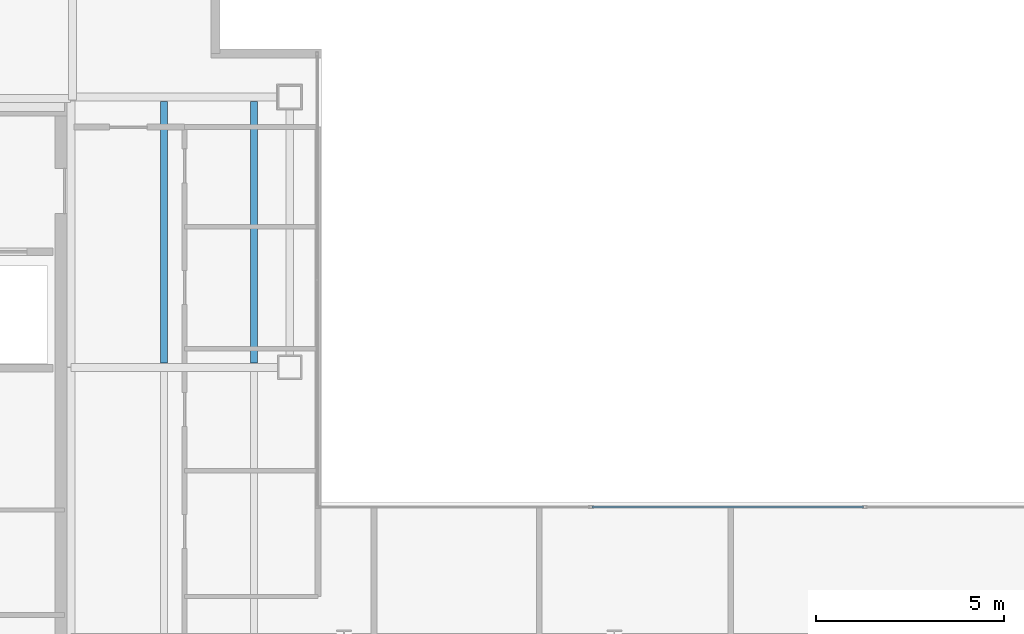
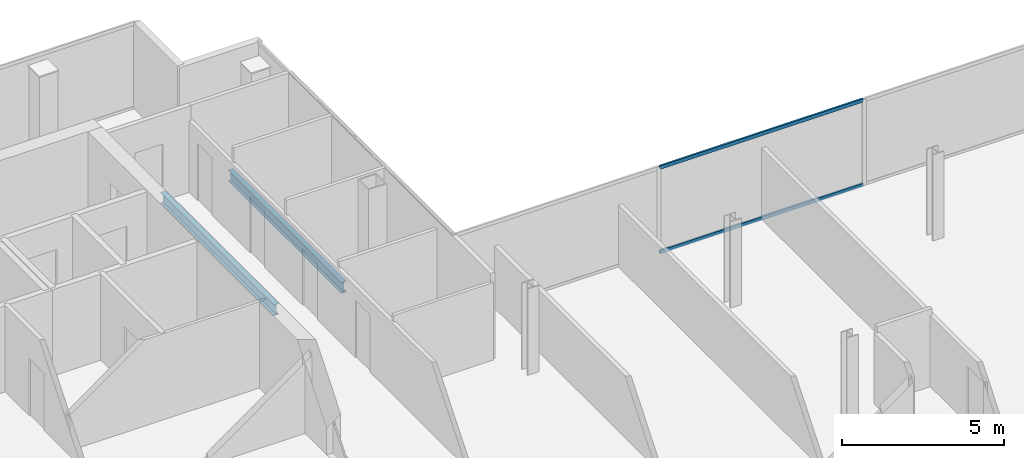
# One storey, part 10 of 24: 2 beams, 2 members, 1 element without a shape of its own.
"""IFC4 building model written with IfcOpenShell, lengths in metres."""

from ifc_helpers import new_model, si_unit, direction, frame, origin, origin_2d, place, context, subcontext, project, spatial, hollow_rectangle, i_section, extrude, material, material_profile, profile_set, type_object, element, aggregate, save


model = new_model("IFC4")

# Units and contexts
model_context = context("Model", 3, precision=1e-05, world=origin(), true_north=direction((0.0, 1.0)))
body_context = subcontext(model_context, "Body", "Model", "MODEL_VIEW")
ifc_project = project(units=[si_unit("LENGTHUNIT", "METRE"), si_unit("AREAUNIT", "SQUARE_METRE"), si_unit("VOLUMEUNIT", "CUBIC_METRE"), si_unit("PLANEANGLEUNIT", "RADIAN"), si_unit("MASSUNIT", "GRAM", prefix="KILO")], contexts=[model_context])

# Site, building, storey
site_placement = place(None, origin())
site = spatial("IfcSite", under=ifc_project, at=site_placement, CompositionType="ELEMENT")
building_placement = place(site_placement, origin())
building = spatial("IfcBuilding", under=site, at=building_placement, Name="Cobrela Telecom Tower", CompositionType="ELEMENT")
storey_placement = place(building_placement, frame((0.0, 0.0, 290.14990234375)))
storey = spatial("IfcBuildingStorey", under=building, at=storey_placement, Name="L76", CompositionType="ELEMENT", Elevation=290.14990234375)

# Beams
ifc_material_1 = material(Name="Steel ASTM A992 Grade 50", Category="steel")
ifc_material_profile_1 = material_profile(ifc_material_1, i_section(OverallWidth=0.179931640625, OverallDepth=0.4169921875, WebThickness=0.010986328125, FlangeThickness=0.01806640625, FilletRadius=0.011962890625, at=origin_2d()), Name="W16X57")
ifc_profile_set_1 = profile_set([ifc_material_profile_1], Name="Steel ASTM A992 Grade 50")
beam_type = type_object("IfcBeamType", Name="BM-JOIST-04", PredefinedType="JOIST", material=ifc_profile_set_1)
for number, where, z_axis, x_axis, name in (
    (1, (16.800048828125, 28.91162109375, -0.468505859375), (0.0, 1.0, 0.0), (-1.0, 0.0, 0.0), "L76 Secondary Composite Floor Beam J03"),
    (2, (19.199951171875, 28.91162109375, -0.468505859375), (0.0, 1.0, 0.0), (-1.0, 0.0, 0.0), "L76 Secondary Composite Floor Beam J06"),
):
    element("IfcBeam", number, at=place(storey_placement, frame(where, z_axis=z_axis, x_axis=x_axis)), inside=storey, type_object=beam_type, Name=name, PredefinedType="JOIST", context=body_context, shape_type="SweptSolid", body=[
        extrude(i_section(OverallWidth=0.179931640625, OverallDepth=0.4169921875, WebThickness=0.010986328125, FlangeThickness=0.01806640625, FilletRadius=0.011962890625, at=origin_2d()), origin(), (0.0, 0.0, 1.0), 6.976806640625),
    ])

# Curtain wall, members
ifc_material_2 = material(Name="Anodized Bronze Aluminium 6063-T6", Category="aluminium")
curtain_wall_type = type_object("IfcCurtainWallType", Name="CW-SYS-OFF-HI", PredefinedType="USERDEFINED", material=ifc_material_2)
curtain_wall_placement = place(storey_placement, origin())
curtain_wall = element("IfcCurtainWall", 3, at=curtain_wall_placement, inside=storey, type_object=curtain_wall_type, Name="L76 Unitised Bronze Curtain Wall 09", ObjectType="UNITISED CURTAIN WALL", PredefinedType="USERDEFINED")
ifc_material_profile_2 = material_profile(ifc_material_2, hollow_rectangle(XDim=0.06494140625, YDim=0.1298828125, WallThickness=0.00390625, at=origin_2d()), Name="ALU 65x130x4")
ifc_profile_set_2 = profile_set([ifc_material_profile_2], Name="Anodized Bronze Aluminium 6063-T6")
member_type = type_object("IfcMemberType", Name="CW-SYS-OFF-HI-TRN", PredefinedType="USERDEFINED", material=ifc_profile_set_2)
member_1_placement = place(storey_placement, frame((28.211669921875, 25.080078125, 0.03271484375), z_axis=(1.0, 0.0, 0.0), x_axis=(0.0, 1.0, 0.0)))
member_1 = element("IfcMember", 4, at=member_1_placement, type_object=member_type, Name="CW-OFF-HI transom 2.1", ObjectType="TRANSOM", PredefinedType="USERDEFINED", context=body_context, shape_type="SweptSolid", body=[
    extrude(hollow_rectangle(XDim=0.06494140625, YDim=0.1298828125, WallThickness=0.00390625, at=origin_2d()), origin(), (0.0, 0.0, 1.0), 7.2265625),
])
member_2_placement = place(storey_placement, frame((28.211669921875, 25.080078125, 3.20751953125), z_axis=(1.0, 0.0, 0.0), x_axis=(0.0, 1.0, 0.0)))
member_2 = element("IfcMember", 5, at=member_2_placement, type_object=member_type, Name="CW-OFF-HI transom 2.2", ObjectType="TRANSOM", PredefinedType="USERDEFINED", context=body_context, shape_type="SweptSolid", body=[
    extrude(hollow_rectangle(XDim=0.06494140625, YDim=0.1298828125, WallThickness=0.00390625, at=origin_2d()), origin(), (0.0, 0.0, 1.0), 7.2265625),
])
aggregate(curtain_wall, [member_1, member_2])

save(model, "model.ifc")
